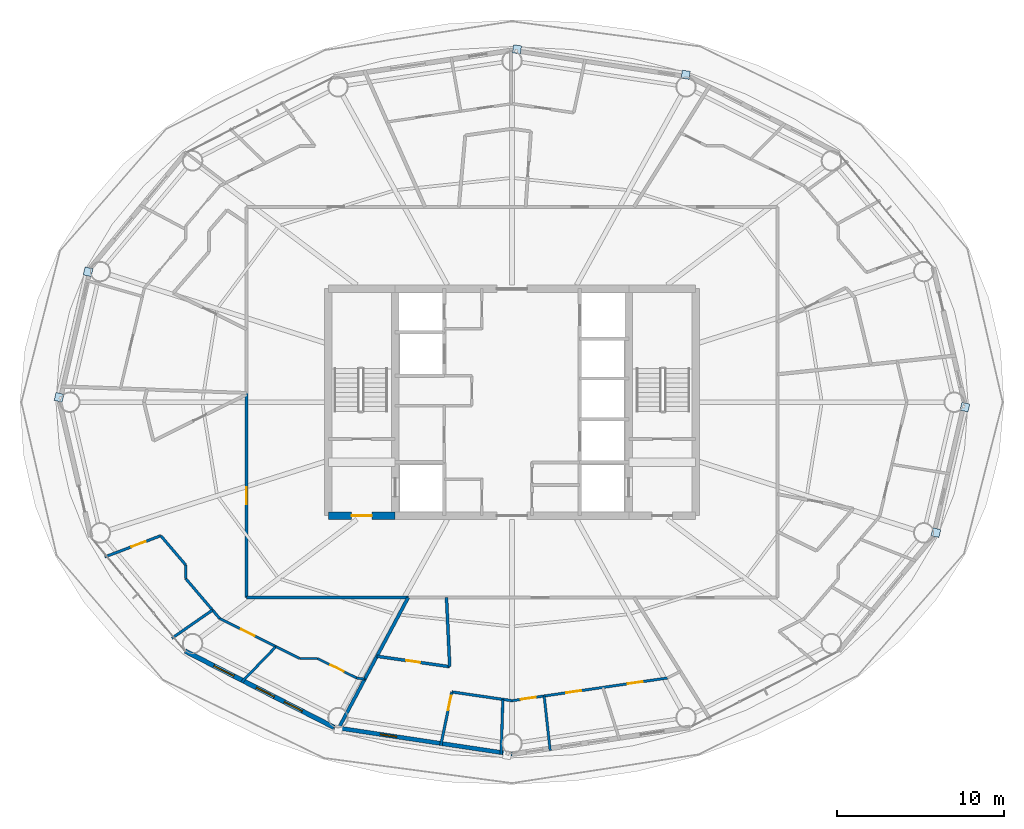
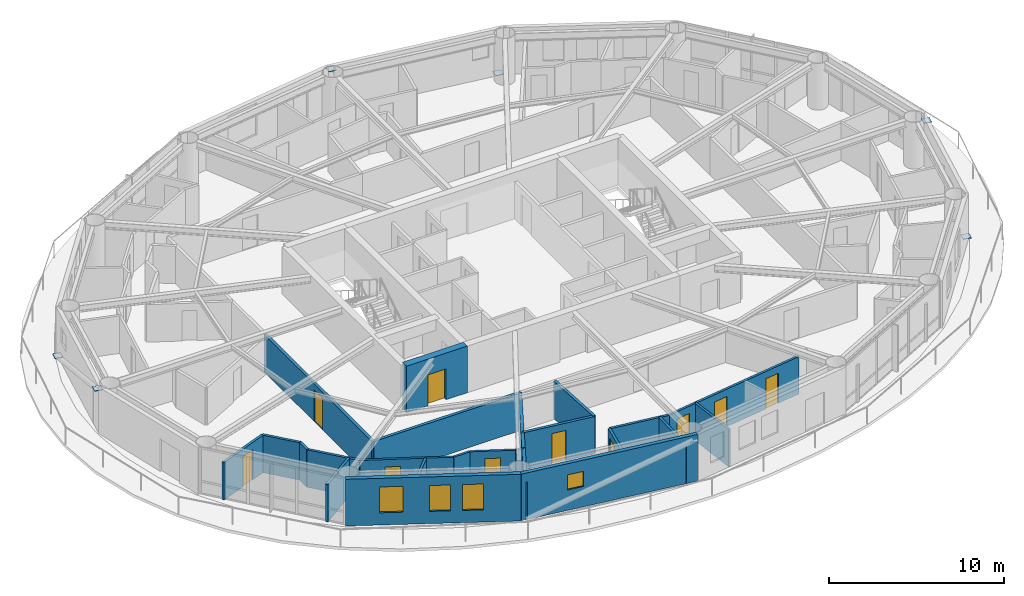
# One storey, part 20 of 28: 25 walls, 10 doors, 6 plates, 4 windows, 14 openings.
"""IFC4 building model written with IfcOpenShell, lengths in metres."""

from ifc_helpers import new_model, si_unit, direction, frame, frame_2d, origin, origin_2d, place, context, subcontext, project, spatial, rectangle, extrude, material, layer, layer_set, type_object, element, fill, save


model = new_model("IFC4")

# Units and contexts
model_context = context("Model", 3, precision=1e-05, world=origin(), true_north=direction((0.0, 1.0)))
body_context = subcontext(model_context, "Body", "Model", "MODEL_VIEW")
ifc_project = project(units=[si_unit("LENGTHUNIT", "METRE"), si_unit("AREAUNIT", "SQUARE_METRE"), si_unit("VOLUMEUNIT", "CUBIC_METRE"), si_unit("PLANEANGLEUNIT", "RADIAN"), si_unit("MASSUNIT", "GRAM", prefix="KILO")], contexts=[model_context])

# Site, building, storey
site_placement = place(None, origin())
site = spatial("IfcSite", under=ifc_project, at=site_placement, CompositionType="ELEMENT")
building_placement = place(site_placement, origin())
building = spatial("IfcBuilding", under=site, at=building_placement, Name="Sarneth Arch Tower", CompositionType="ELEMENT")
storey_placement = place(building_placement, frame((0.0, 0.0, 197.39990234375)))
storey = spatial("IfcBuildingStorey", under=building, at=storey_placement, Name="L50", CompositionType="ELEMENT", Elevation=197.39990234375)

# Plates
ifc_material_1 = material(Name="Steel S355", Category="steel")
ifc_layer_1 = layer(ifc_material_1, 0.035888671875)
ifc_layer_set_1 = layer_set([ifc_layer_1], Name="Steel S355")
plate_type = type_object("IfcPlateType", Name="PLT-GUSSET-30", PredefinedType="SHEET", material=ifc_layer_set_1)
for number, where, z_axis, x_axis, name in (
    (1, (58.404296875, 61.612548828125, 0.001953125), (0.0, 0.0, 1.0), (-0.98883454203, 0.149017611339, 0.0), "Steel end cap plate GP-1"),
    (2, (48.296630859375, 63.13525390625, 2.90283203125), (0.0, 0.0, 1.0), (-0.98883454203, 0.149017611339, 0.0), "Steel end cap plate GP-1"),
    (3, (22.609619140625, 49.81298828125, 0.001953125), (0.0, 0.0, 1.0), (-0.225291159947, -0.974291482694, 0.0), "Steel end cap plate GP-1"),
    (4, (20.87109375, 42.292236328125, 2.90283203125), (0.0, 0.0, 1.0), (-0.225291159947, -0.974291482694, 0.0), "Steel end cap plate GP-1"),
    (5, (73.390380859375, 34.18701171875, 0.001953125), (0.0, 0.0, 1.0), (0.225291159947, 0.974291482694, 0.0), "Steel end cap plate GP-1"),
    (6, (75.12890625, 41.707763671875, 2.90283203125), (0.0, 0.0, 1.0), (0.225291159947, 0.974291482694, 0.0), "Steel end cap plate GP-1"),
):
    element("IfcPlate", number, at=place(storey_placement, frame(where, z_axis=z_axis, x_axis=x_axis)), inside=storey, type_object=plate_type, Name=name, PredefinedType="SHEET", context=body_context, shape_type="SweptSolid", body=[
        extrude(rectangle(XDim=0.486083984375, YDim=0.486083984375, at=origin_2d()), origin(), (0.0, 0.0, 1.0), 0.035888671875),
    ])

# Wall, opening, door
ifc_material_2 = material(Name="Concrete C50/60", Category="concrete")
ifc_layer_2 = layer(ifc_material_2, 0.449951171875)
ifc_layer_set_2 = layer_set([ifc_layer_2], Name="Concrete C50/60")
wall_type_1 = type_object("IfcWallType", Name="WALL-CORE-450", PredefinedType="SHEAR", material=ifc_layer_set_2)
wall_1_placement = place(storey_placement, frame((37.0, 35.199951171875, 0.0), z_axis=(0.0, 0.0, 1.0), x_axis=(1.0, 0.0, 0.0)))
wall_1 = element("IfcWall", 7, at=wall_1_placement, inside=storey, type_object=wall_type_1, Name="L50 Core shear wall S-W", PredefinedType="SHEAR", context=body_context, shape_type="SweptSolid", body=[
    extrude(rectangle(XDim=4.0, YDim=0.449951171875, at=frame_2d((2.0, 0.0))), origin(), (0.0, 0.0, 1.0), 3.25),
])
opening_1_placement = place(wall_1_placement, frame((1.39990234375, 0.0, 0.0)))
opening_1 = element("IfcOpeningElement", 8, at=opening_1_placement, cuts=wall_1, Name="Opening FD-02", PredefinedType="OPENING", context=body_context, shape_type="SweptSolid", body=[
    extrude(rectangle(XDim=1.199951171875, YDim=2.14990234375, at=frame_2d((0.60009765625, 1.074951171875))), frame((0.0, 0.23486328125, 0.0), z_axis=(0.0, -1.0, 0.0), x_axis=(1.0, 0.0, 0.0)), (0.0, 0.0, 1.0), 0.469970703125),
])
ifc_material_3 = material(Name="Galvanised Steel S275 fire door set", Category="steel")
door_type_1 = type_object("IfcDoorType", Name="DR-FD90-1200", OperationType="SINGLE_SWING_LEFT", PredefinedType="DOOR", material=ifc_material_3)
door_1_placement = place(opening_1_placement, origin())
door_1 = element("IfcDoor", 9, at=door_1_placement, inside=storey, type_object=door_type_1, Name="L50 Firefighting lobby 1 exit door", OperationType="SINGLE_SWING_LEFT", OverallHeight=2.14990234375, OverallWidth=1.199951171875, PredefinedType="DOOR", context=body_context, shape_type="SweptSolid", body=[
    extrude(rectangle(XDim=1.199951171875, YDim=2.14990234375, at=frame_2d((0.60009765625, 1.074951171875))), frame((0.0, 0.02490234375, 0.0), z_axis=(0.0, -1.0, 0.0), x_axis=(1.0, 0.0, 0.0)), (0.0, 0.0, 1.0), 0.050048828125),
])
fill(opening_1, door_1)

ifc_material_4 = material(Name="Double steel-stud corridor fire wall", Category="steel")
ifc_layer_3 = layer(ifc_material_4, 0.18994140625)
ifc_layer_set_3 = layer_set([ifc_layer_3], Name="Double steel-stud corridor fire wall")
wall_type_2 = type_object("IfcWallType", Name="WALL-CORR-190", PredefinedType="PARTITIONING", material=ifc_layer_set_3)
wall_2_placement = place(storey_placement, frame((32.10009765625, 30.300048828125, 0.0), z_axis=(0.0, 0.0, 1.0), x_axis=(0.0, 1.0, 0.0)))
wall_2 = element("IfcWall", 10, at=wall_2_placement, inside=storey, type_object=wall_type_2, Name="L50 Interior partition W-L50-TP-012", PredefinedType="PARTITIONING", context=body_context, shape_type="SweptSolid", body=[
    extrude(rectangle(XDim=12.287109375, YDim=0.18994140625, at=frame_2d((6.1435546875, 0.0))), origin(), (0.0, 0.0, 1.0), 2.610107421875),
])
opening_2_placement = place(wall_2_placement, frame((5.6005859375, 0.0, 0.0)))
opening_2 = element("IfcOpeningElement", 11, at=opening_2_placement, cuts=wall_2, Name="Opening FD-08", PredefinedType="OPENING", context=body_context, shape_type="SweptSolid", body=[
    extrude(rectangle(XDim=1.0, YDim=2.199951171875, at=frame_2d((0.5, 1.10009765625))), frame((0.0, 0.10498046875, 0.0), z_axis=(0.0, -1.0, 0.0), x_axis=(1.0, 0.0, 0.0)), (0.0, 0.0, 1.0), 0.2099609375),
])
ifc_material_5 = material(Name="Hardwood timber acoustic fire door", Category="wood")
door_type_2 = type_object("IfcDoorType", Name="DR-FD60-1000", OperationType="SINGLE_SWING_LEFT", PredefinedType="DOOR", material=ifc_material_5)
door_2_placement = place(opening_2_placement, origin())
door_2 = element("IfcDoor", 12, at=door_2_placement, inside=storey, type_object=door_type_2, Name="L50 Interior door DR-L50-U4-ENT", OperationType="SINGLE_SWING_LEFT", OverallHeight=2.199951171875, OverallWidth=1.0, PredefinedType="DOOR", context=body_context, shape_type="SweptSolid", body=[
    extrude(rectangle(XDim=1.0, YDim=2.199951171875, at=frame_2d((0.5, 1.10009765625))), frame((0.0, 0.02490234375, 0.0), z_axis=(0.0, -1.0, 0.0), x_axis=(1.0, 0.0, 0.0)), (0.0, 0.0, 1.0), 0.050048828125),
])
fill(opening_2, door_2)

# Wall
wall_3_placement = place(storey_placement, frame((41.815185546875, 30.300048828125, 0.0), z_axis=(0.0, 0.0, 1.0), x_axis=(-1.0, 0.0, 0.0)))
element("IfcWall", 13, at=wall_3_placement, inside=storey, type_object=wall_type_2, Name="L50 Interior partition W-L50-TP-011", PredefinedType="PARTITIONING", context=body_context, shape_type="SweptSolid", body=[
    extrude(rectangle(XDim=9.715087890625, YDim=0.18994140625, at=frame_2d((4.857421875, 0.0))), origin(), (0.0, 0.0, 1.0), 2.610107421875),
])

# Wall, opening, window
ifc_material_6 = material(Name="Extruded terracotta rainscreen on Concrete C40/50 backing", Category="masonry")
ifc_layer_4 = layer(ifc_material_6, 0.25)
ifc_layer_set_4 = layer_set([ifc_layer_4], Name="Extruded terracotta rainscreen on Concrete C40/50 backing")
wall_type_3 = type_object("IfcWallType", Name="WALL-EXT-SPAND-250", PredefinedType="SOLIDWALL", material=ifc_layer_set_4)
wall_4_placement = place(storey_placement, frame((37.337158203125, 22.524658203125, 0.0), z_axis=(0.0, 0.0, 1.0), x_axis=(0.988863993413, -0.148822049884, 0.0)))
wall_4 = element("IfcWall", 14, at=wall_4_placement, inside=storey, type_object=wall_type_3, Name="L50 Terracotta perimeter wall 12", PredefinedType="SOLIDWALL", context=body_context, shape_type="SweptSolid", body=[
    extrude(rectangle(XDim=10.782958984375, YDim=0.25, at=frame_2d((5.3916015625, 0.0))), origin(), (0.0, 0.0, 1.0), 3.25),
])
opening_3_placement = place(wall_4_placement, frame((2.795654296875, 0.0, 1.419921875)))
opening_3 = element("IfcOpeningElement", 15, at=opening_3_placement, cuts=wall_4, Name="Opening W-14", PredefinedType="OPENING", context=body_context, shape_type="SweptSolid", body=[
    extrude(rectangle(XDim=1.0, YDim=1.050048828125, at=frame_2d((0.5, 0.52490234375))), frame((0.0, 0.135009765625, 0.0), z_axis=(0.0, -1.0, 0.0), x_axis=(1.0, 0.0, 0.0)), (0.0, 0.0, 1.0), 0.27001953125),
])
ifc_material_7 = material(Name="Thermally broken Aluminium 6063-T6 and low-e laminated IGU", Category="aluminium")
window_type_1 = type_object("IfcWindowType", Name="WIN-TWR-1000x1050", PartitioningType="SINGLE_PANEL", PredefinedType="WINDOW", material=ifc_material_7)
window_1_placement = place(opening_3_placement, origin())
window_1 = element("IfcWindow", 16, at=window_1_placement, inside=storey, type_object=window_type_1, Name="L50 Dwelling bedroom window 03", OverallHeight=1.050048828125, OverallWidth=1.0, PartitioningType="SINGLE_PANEL", PredefinedType="WINDOW", context=body_context, shape_type="SweptSolid", body=[
    extrude(rectangle(XDim=1.0, YDim=1.050048828125, at=frame_2d((0.5, 0.52490234375))), frame((0.0, 0.030029296875, 0.0), z_axis=(0.0, -1.0, 0.0), x_axis=(1.0, 0.0, 0.0)), (0.0, 0.0, 1.0), 0.06005859375),
])
fill(opening_3, window_1)

# Wall, openings, windows
ifc_material_8 = material(Name="Extruded terracotta rainscreen on Concrete C40/50 backing", Category="masonry")
ifc_layer_5 = layer(ifc_material_8, 0.280029296875)
ifc_layer_set_5 = layer_set([ifc_layer_5], Name="Extruded terracotta rainscreen on Concrete C40/50 backing")
wall_type_4 = type_object("IfcWallType", Name="WALL-EXT-TERRA-280", PredefinedType="SOLIDWALL", material=ifc_layer_set_5)
wall_5_placement = place(storey_placement, frame((28.423828125, 27.09423828125, 0.0), z_axis=(0.0, 0.0, 1.0), x_axis=(0.889872523182, -0.456209263919, 0.0)))
wall_5 = element("IfcWall", 17, at=wall_5_placement, inside=storey, type_object=wall_type_4, Name="L50 Terracotta perimeter wall 11", PredefinedType="SOLIDWALL", context=body_context, shape_type="SweptSolid", body=[
    extrude(rectangle(XDim=10.016357421875, YDim=0.280029296875, at=frame_2d((5.00830078125, 0.0))), origin(), (0.0, 0.0, 1.0), 3.25),
])
opening_4_placement = place(wall_5_placement, frame((1.92529296875, 0.0, 0.85009765625)))
opening_4 = element("IfcOpeningElement", 18, at=opening_4_placement, cuts=wall_5, Name="Opening W-08", PredefinedType="OPENING", context=body_context, shape_type="SweptSolid", body=[
    extrude(rectangle(XDim=1.35009765625, YDim=1.800048828125, at=frame_2d((0.675048828125, 0.89990234375))), frame((0.0, 0.14990234375, 0.0), z_axis=(0.0, -1.0, 0.0), x_axis=(1.0, 0.0, 0.0)), (0.0, 0.0, 1.0), 0.300048828125),
])
opening_5_placement = place(wall_5_placement, frame((4.795166015625, 0.0, 0.85009765625)))
opening_5 = element("IfcOpeningElement", 19, at=opening_5_placement, cuts=wall_5, Name="Opening W-09", PredefinedType="OPENING", context=body_context, shape_type="SweptSolid", body=[
    extrude(rectangle(XDim=1.199951171875, YDim=1.800048828125, at=frame_2d((0.60009765625, 0.89990234375))), frame((0.0, 0.14990234375, 0.0), z_axis=(0.0, -1.0, 0.0), x_axis=(1.0, 0.0, 0.0)), (0.0, 0.0, 1.0), 0.300048828125),
])
opening_6_placement = place(wall_5_placement, frame((6.68017578125, 0.0, 0.85009765625)))
opening_6 = element("IfcOpeningElement", 20, at=opening_6_placement, cuts=wall_5, Name="Opening W-09", PredefinedType="OPENING", context=body_context, shape_type="SweptSolid", body=[
    extrude(rectangle(XDim=1.199951171875, YDim=1.800048828125, at=frame_2d((0.60009765625, 0.89990234375))), frame((0.0, 0.14990234375, 0.0), z_axis=(0.0, -1.0, 0.0), x_axis=(1.0, 0.0, 0.0)), (0.0, 0.0, 1.0), 0.300048828125),
])
ifc_material_9 = material(Name="Thermally broken Aluminium 6063-T6 and low-e laminated IGU", Category="aluminium")
window_type_2 = type_object("IfcWindowType", Name="WIN-TWR-1200x1800", PartitioningType="SINGLE_PANEL", PredefinedType="WINDOW", material=ifc_material_9)
window_2_placement = place(opening_5_placement, origin())
window_2 = element("IfcWindow", 21, at=window_2_placement, inside=storey, type_object=window_type_2, Name="L50 Exterior window 11B", OverallHeight=1.800048828125, OverallWidth=1.199951171875, PartitioningType="SINGLE_PANEL", PredefinedType="WINDOW", context=body_context, shape_type="SweptSolid", body=[
    extrude(rectangle(XDim=1.199951171875, YDim=1.800048828125, at=frame_2d((0.60009765625, 0.89990234375))), frame((0.0, 0.030029296875, 0.0), z_axis=(0.0, -1.0, 0.0), x_axis=(1.0, 0.0, 0.0)), (0.0, 0.0, 1.0), 0.06005859375),
])
fill(opening_5, window_2)
window_3_placement = place(opening_6_placement, origin())
window_3 = element("IfcWindow", 22, at=window_3_placement, inside=storey, type_object=window_type_2, Name="L50 Exterior window 11C", OverallHeight=1.800048828125, OverallWidth=1.199951171875, PartitioningType="SINGLE_PANEL", PredefinedType="WINDOW", context=body_context, shape_type="SweptSolid", body=[
    extrude(rectangle(XDim=1.199951171875, YDim=1.800048828125, at=frame_2d((0.60009765625, 0.89990234375))), frame((0.0, 0.030029296875, 0.0), z_axis=(0.0, -1.0, 0.0), x_axis=(1.0, 0.0, 0.0)), (0.0, 0.0, 1.0), 0.06005859375),
])
fill(opening_6, window_3)
ifc_material_10 = material(Name="Thermally broken Aluminium 6063-T6 and low-e laminated IGU", Category="aluminium")
window_type_3 = type_object("IfcWindowType", Name="WIN-TWR-1350x1800", PartitioningType="SINGLE_PANEL", PredefinedType="WINDOW", material=ifc_material_10)
window_4_placement = place(opening_4_placement, origin())
window_4 = element("IfcWindow", 23, at=window_4_placement, inside=storey, type_object=window_type_3, Name="L50 Exterior window 11A", OverallHeight=1.800048828125, OverallWidth=1.35009765625, PartitioningType="SINGLE_PANEL", PredefinedType="WINDOW", context=body_context, shape_type="SweptSolid", body=[
    extrude(rectangle(XDim=1.35009765625, YDim=1.800048828125, at=frame_2d((0.675048828125, 0.89990234375))), frame((0.0, 0.030029296875, 0.0), z_axis=(0.0, -1.0, 0.0), x_axis=(1.0, 0.0, 0.0)), (0.0, 0.0, 1.0), 0.06005859375),
])
fill(opening_4, window_4)

# Wall, opening, door
ifc_material_11 = material(Name="Apartment internal stud partition", Category="gypsum")
ifc_layer_6 = layer(ifc_material_11, 0.139892578125)
ifc_layer_set_6 = layer_set([ifc_layer_6], Name="Apartment internal stud partition")
wall_type_5 = type_object("IfcWallType", Name="WALL-PART-140", PredefinedType="PARTITIONING", material=ifc_layer_set_6)
wall_6_placement = place(storey_placement, frame((36.348876953125, 26.64990234375, 0.0), z_axis=(0.0, 0.0, 1.0), x_axis=(0.895041110332, -0.445983644112, 0.0)))
wall_6 = element("IfcWall", 24, at=wall_6_placement, inside=storey, type_object=wall_type_5, Name="L50 Interior partition W-L50-TP-087", PredefinedType="PARTITIONING", context=body_context, shape_type="SweptSolid", body=[
    extrude(rectangle(XDim=2.62109375, YDim=0.139892578125, at=frame_2d((1.310546875, 0.0))), origin(), (0.0, 0.0, 1.0), 2.610107421875),
])
opening_7_placement = place(wall_6_placement, frame((0.860595703125, 0.0, 0.0)))
opening_7 = element("IfcOpeningElement", 25, at=opening_7_placement, cuts=wall_6, Name="Opening ID-01", PredefinedType="OPENING", context=body_context, shape_type="SweptSolid", body=[
    extrude(rectangle(XDim=0.89990234375, YDim=2.10009765625, at=frame_2d((0.449951171875, 1.050048828125))), frame((0.0, 0.079833984375, 0.0), z_axis=(0.0, -1.0, 0.0), x_axis=(1.0, 0.0, 0.0)), (0.0, 0.0, 1.0), 0.159912109375),
])
ifc_material_12 = material(Name="Engineered hardwood flush door", Category="wood")
door_type_3 = type_object("IfcDoorType", Name="DR-INT-900", OperationType="SINGLE_SWING_LEFT", PredefinedType="DOOR", material=ifc_material_12)
door_3_placement = place(opening_7_placement, origin())
door_3 = element("IfcDoor", 26, at=door_3_placement, inside=storey, type_object=door_type_3, Name="L50 Interior door DR-L50-U4-BED2", OperationType="SINGLE_SWING_LEFT", OverallHeight=2.10009765625, OverallWidth=0.89990234375, PredefinedType="DOOR", context=body_context, shape_type="SweptSolid", body=[
    extrude(rectangle(XDim=0.89990234375, YDim=2.10009765625, at=frame_2d((0.449951171875, 1.050048828125))), frame((0.0, 0.02490234375, 0.0), z_axis=(0.0, -1.0, 0.0), x_axis=(1.0, 0.0, 0.0)), (0.0, 0.0, 1.0), 0.050048828125),
])
fill(opening_7, door_3)

# Walls
wall_7_placement = place(storey_placement, frame((33.8623046875, 27.360107421875, 0.0), z_axis=(0.0, 0.0, 1.0), x_axis=(0.894917522296, -0.446231585937, 0.0)))
element("IfcWall", 27, at=wall_7_placement, inside=storey, type_object=wall_type_5, Name="L50 Interior partition W-L50-TP-085", PredefinedType="PARTITIONING", context=body_context, shape_type="SweptSolid", body=[
    extrude(rectangle(XDim=1.591552734375, YDim=0.139892578125, at=frame_2d((0.7958984375, 0.0))), origin(), (0.0, 0.0, 1.0), 2.610107421875),
])
wall_8_placement = place(storey_placement, frame((35.28662109375, 26.64990234375, 0.0), z_axis=(0.0, 0.0, 1.0), x_axis=(1.0, 0.0, 0.0)))
element("IfcWall", 28, at=wall_8_placement, inside=storey, type_object=wall_type_5, Name="L50 Interior partition W-L50-TP-086", PredefinedType="PARTITIONING", context=body_context, shape_type="SweptSolid", body=[
    extrude(rectangle(XDim=1.062255859375, YDim=0.139892578125, at=frame_2d((0.53125, 0.0))), origin(), (0.0, 0.0, 1.0), 2.610107421875),
])
wall_9_placement = place(storey_placement, frame((38.69482421875, 25.48095703125, 0.0), z_axis=(0.0, 0.0, 1.0), x_axis=(0.989485449351, -0.144632449754, 0.0)))
element("IfcWall", 29, at=wall_9_placement, inside=storey, type_object=wall_type_5, Name="L50 Interior partition W-L50-TP-088", PredefinedType="PARTITIONING", context=body_context, shape_type="SweptSolid", body=[
    extrude(rectangle(XDim=0.489501953125, YDim=0.139892578125, at=frame_2d((0.24462890625, 0.0))), origin(), (0.0, 0.0, 1.0), 2.610107421875),
])

# Wall, openings, doors
ifc_material_13 = material(Name="Acoustic gypsum stud partition", Category="gypsum")
ifc_layer_7 = layer(ifc_material_13, 0.14990234375)
ifc_layer_set_7 = layer_set([ifc_layer_7], Name="Acoustic gypsum stud partition")
wall_type_6 = type_object("IfcWallType", Name="WALL-PART-150", PredefinedType="PARTITIONING", material=ifc_layer_set_7)
wall_10_placement = place(storey_placement, frame((48.0, 24.1201171875, 0.0), z_axis=(0.0, 0.0, 1.0), x_axis=(0.989474667704, 0.144706191892, 0.0)))
wall_10 = element("IfcWall", 30, at=wall_10_placement, inside=storey, type_object=wall_type_6, Name="L50 Interior partition W-L50-TP-101", PredefinedType="PARTITIONING", context=body_context, shape_type="SweptSolid", body=[
    extrude(rectangle(XDim=9.404052734375, YDim=0.14990234375, at=frame_2d((4.7021484375, 0.0))), origin(), (0.0, 0.0, 1.0), 2.610107421875),
])
opening_8_placement = place(wall_10_placement, frame((7.001953125, 0.0, 0.0)))
opening_8 = element("IfcOpeningElement", 31, at=opening_8_placement, cuts=wall_10, Name="Opening ID-01", PredefinedType="OPENING", context=body_context, shape_type="SweptSolid", body=[
    extrude(rectangle(XDim=0.89990234375, YDim=2.10009765625, at=frame_2d((0.449951171875, 1.050048828125))), frame((0.0, 0.0849609375, 0.0), z_axis=(0.0, -1.0, 0.0), x_axis=(1.0, 0.0, 0.0)), (0.0, 0.0, 1.0), 0.169921875),
])
opening_9_placement = place(wall_10_placement, frame((3.274169921875, 0.0, 0.0)))
opening_9 = element("IfcOpeningElement", 32, at=opening_9_placement, cuts=wall_10, Name="Opening ID-01", PredefinedType="OPENING", context=body_context, shape_type="SweptSolid", body=[
    extrude(rectangle(XDim=0.89990234375, YDim=2.10009765625, at=frame_2d((0.449951171875, 1.050048828125))), frame((0.0, 0.0849609375, 0.0), z_axis=(0.0, -1.0, 0.0), x_axis=(1.0, 0.0, 0.0)), (0.0, 0.0, 1.0), 0.169921875),
])
opening_10_placement = place(wall_10_placement, frame((0.5400390625, 0.0, 0.0)))
opening_10 = element("IfcOpeningElement", 33, at=opening_10_placement, cuts=wall_10, Name="Opening ID-01", PredefinedType="OPENING", context=body_context, shape_type="SweptSolid", body=[
    extrude(rectangle(XDim=0.89990234375, YDim=2.10009765625, at=frame_2d((0.449951171875, 1.050048828125))), frame((0.0, 0.0849609375, 0.0), z_axis=(0.0, -1.0, 0.0), x_axis=(1.0, 0.0, 0.0)), (0.0, 0.0, 1.0), 0.169921875),
])
door_4_placement = place(opening_8_placement, origin())
door_4 = element("IfcDoor", 34, at=door_4_placement, inside=storey, type_object=door_type_3, Name="L50 Interior door DR-L50-U5-BED3", OperationType="SINGLE_SWING_LEFT", OverallHeight=2.10009765625, OverallWidth=0.89990234375, PredefinedType="DOOR", context=body_context, shape_type="SweptSolid", body=[
    extrude(rectangle(XDim=0.89990234375, YDim=2.10009765625, at=frame_2d((0.449951171875, 1.050048828125))), frame((0.0, 0.02490234375, 0.0), z_axis=(0.0, -1.0, 0.0), x_axis=(1.0, 0.0, 0.0)), (0.0, 0.0, 1.0), 0.050048828125),
])
fill(opening_8, door_4)
door_5_placement = place(opening_9_placement, origin())
door_5 = element("IfcDoor", 35, at=door_5_placement, inside=storey, type_object=door_type_3, Name="L50 Interior door DR-L50-U5-BED2", OperationType="SINGLE_SWING_RIGHT", OverallHeight=2.10009765625, OverallWidth=0.89990234375, PredefinedType="DOOR", context=body_context, shape_type="SweptSolid", body=[
    extrude(rectangle(XDim=0.89990234375, YDim=2.10009765625, at=frame_2d((0.449951171875, 1.050048828125))), frame((0.0, 0.02490234375, 0.0), z_axis=(0.0, -1.0, 0.0), x_axis=(1.0, 0.0, 0.0)), (0.0, 0.0, 1.0), 0.050048828125),
])
fill(opening_9, door_5)
door_6_placement = place(opening_10_placement, origin())
door_6 = element("IfcDoor", 36, at=door_6_placement, inside=storey, type_object=door_type_3, Name="L50 Interior door DR-L50-U5-BED1", OperationType="SINGLE_SWING_RIGHT", OverallHeight=2.10009765625, OverallWidth=0.89990234375, PredefinedType="DOOR", context=body_context, shape_type="SweptSolid", body=[
    extrude(rectangle(XDim=0.89990234375, YDim=2.10009765625, at=frame_2d((0.449951171875, 1.050048828125))), frame((0.0, 0.02490234375, 0.0), z_axis=(0.0, -1.0, 0.0), x_axis=(1.0, 0.0, 0.0)), (0.0, 0.0, 1.0), 0.050048828125),
])
fill(opening_10, door_6)

# Wall, opening, door
wall_11_placement = place(storey_placement, frame((30.4951171875, 29.038818359375, 0.0), z_axis=(0.0, 0.0, 1.0), x_axis=(0.894945698469, -0.44617507415, 0.0)))
wall_11 = element("IfcWall", 37, at=wall_11_placement, inside=storey, type_object=wall_type_6, Name="L50 Interior partition W-L50-TP-084", PredefinedType="PARTITIONING", context=body_context, shape_type="SweptSolid", body=[
    extrude(rectangle(XDim=3.762451171875, YDim=0.14990234375, at=frame_2d((1.88134765625, 0.0))), origin(), (0.0, 0.0, 1.0), 2.610107421875),
])
opening_11_placement = place(wall_11_placement, frame((1.43115234375, 0.0, 0.0)))
opening_11 = element("IfcOpeningElement", 38, at=opening_11_placement, cuts=wall_11, Name="Opening ID-01", PredefinedType="OPENING", context=body_context, shape_type="SweptSolid", body=[
    extrude(rectangle(XDim=0.89990234375, YDim=2.10009765625, at=frame_2d((0.449951171875, 1.050048828125))), frame((0.0, 0.0849609375, 0.0), z_axis=(0.0, -1.0, 0.0), x_axis=(1.0, 0.0, 0.0)), (0.0, 0.0, 1.0), 0.169921875),
])
door_7_placement = place(opening_11_placement, origin())
door_7 = element("IfcDoor", 39, at=door_7_placement, inside=storey, type_object=door_type_3, Name="L50 Interior door DR-L50-U4-BED1", OperationType="SINGLE_SWING_LEFT", OverallHeight=2.10009765625, OverallWidth=0.89990234375, PredefinedType="DOOR", context=body_context, shape_type="SweptSolid", body=[
    extrude(rectangle(XDim=0.89990234375, YDim=2.10009765625, at=frame_2d((0.449951171875, 1.050048828125))), frame((0.0, 0.02490234375, 0.0), z_axis=(0.0, -1.0, 0.0), x_axis=(1.0, 0.0, 0.0)), (0.0, 0.0, 1.0), 0.050048828125),
])
fill(opening_11, door_7)

# Walls
wall_12_placement = place(storey_placement, frame((50.28466796875, 21.142578125, 0.0), z_axis=(0.0, 0.0, 1.0), x_axis=(-0.108935832995, 0.994048783657, 0.0)))
element("IfcWall", 40, at=wall_12_placement, inside=storey, type_object=wall_type_6, Name="L50 Interior partition W-L50-TP-105", PredefinedType="PARTITIONING", context=body_context, shape_type="SweptSolid", body=[
    extrude(rectangle(XDim=3.27880859375, YDim=0.14990234375, at=frame_2d((1.639404296875, 0.0))), origin(), (0.0, 0.0, 1.0), 2.610107421875),
])
wall_13_placement = place(storey_placement, frame((33.8623046875, 27.360107421875, 0.0), z_axis=(0.0, 0.0, 1.0), x_axis=(-0.694625426755, -0.719371612246, 0.0)))
element("IfcWall", 41, at=wall_13_placement, inside=storey, type_object=wall_type_6, Name="L50 Interior partition W-L50-TP-092", PredefinedType="PARTITIONING", context=body_context, shape_type="SweptSolid", body=[
    extrude(rectangle(XDim=2.959716796875, YDim=0.14990234375, at=frame_2d((1.47998046875, 0.0))), origin(), (0.0, 0.0, 1.0), 2.610107421875),
])

# Wall, opening, door
ifc_material_14 = material(Name="Kitchen wet service chase wall", Category="gypsum")
ifc_layer_8 = layer(ifc_material_14, 0.159912109375)
ifc_layer_set_8 = layer_set([ifc_layer_8], Name="Kitchen wet service chase wall")
wall_type_7 = type_object("IfcWallType", Name="WALL-PLUMB-160", PredefinedType="PLUMBINGWALL", material=ifc_layer_set_8)
wall_14_placement = place(storey_placement, frame((26.961669921875, 34.004638671875, 0.0), z_axis=(0.0, 0.0, 1.0), x_axis=(-0.934799422257, -0.355176069222, 0.0)))
wall_14 = element("IfcWall", 42, at=wall_14_placement, inside=storey, type_object=wall_type_7, Name="L50 Interior partition W-L50-TP-079", PredefinedType="PLUMBINGWALL", context=body_context, shape_type="SweptSolid", body=[
    extrude(rectangle(XDim=3.58203125, YDim=0.159912109375, at=frame_2d((1.791015625, 0.0))), origin(), (0.0, 0.0, 1.0), 2.610107421875),
])
opening_12_placement = place(wall_14_placement, frame((0.98095703125, 0.0, 0.0)))
opening_12 = element("IfcOpeningElement", 43, at=opening_12_placement, cuts=wall_14, Name="Opening ID-01", PredefinedType="OPENING", context=body_context, shape_type="SweptSolid", body=[
    extrude(rectangle(XDim=0.89990234375, YDim=2.10009765625, at=frame_2d((0.449951171875, 1.050048828125))), frame((0.0, 0.08984375, 0.0), z_axis=(0.0, -1.0, 0.0), x_axis=(1.0, 0.0, 0.0)), (0.0, 0.0, 1.0), 0.179931640625),
])
door_8_placement = place(opening_12_placement, origin())
door_8 = element("IfcDoor", 44, at=door_8_placement, inside=storey, type_object=door_type_3, Name="L50 Interior door DR-L50-U4-KIT", OperationType="SINGLE_SWING_RIGHT", OverallHeight=2.10009765625, OverallWidth=0.89990234375, PredefinedType="DOOR", context=body_context, shape_type="SweptSolid", body=[
    extrude(rectangle(XDim=0.89990234375, YDim=2.10009765625, at=frame_2d((0.449951171875, 1.050048828125))), frame((0.0, 0.02490234375, 0.0), z_axis=(0.0, -1.0, 0.0), x_axis=(1.0, 0.0, 0.0)), (0.0, 0.0, 1.0), 0.050048828125),
])
fill(opening_12, door_8)

# Wall
wall_15_placement = place(storey_placement, frame((47.451416015625, 24.2001953125, 0.0), z_axis=(0.0, 0.0, 1.0), x_axis=(-0.03081032148, -0.999525249351, 0.0)))
element("IfcWall", 45, at=wall_15_placement, inside=storey, type_object=wall_type_7, Name="L50 Interior partition W-L50-TP-104", PredefinedType="PLUMBINGWALL", context=body_context, shape_type="SweptSolid", body=[
    extrude(rectangle(XDim=3.30419921875, YDim=0.159912109375, at=frame_2d((1.652099609375, 0.0))), origin(), (0.0, 0.0, 1.0), 2.610107421875),
])

# Wall, opening, door
wall_16_placement = place(storey_placement, frame((43.733154296875, 21.44091796875, 0.0), z_axis=(0.0, 0.0, 1.0), x_axis=(0.203194875639, 0.979138316334, 0.0)))
wall_16 = element("IfcWall", 46, at=wall_16_placement, inside=storey, type_object=wall_type_7, Name="L50 Interior partition W-L50-TP-094", PredefinedType="PLUMBINGWALL", context=body_context, shape_type="SweptSolid", body=[
    extrude(rectangle(XDim=3.274169921875, YDim=0.159912109375, at=frame_2d((1.63720703125, 0.0))), origin(), (0.0, 0.0, 1.0), 2.610107421875),
])
opening_13_placement = place(wall_16_placement, frame((2.147216796875, 0.0, 0.0)))
opening_13 = element("IfcOpeningElement", 47, at=opening_13_placement, cuts=wall_16, Name="Opening ID-01", PredefinedType="OPENING", context=body_context, shape_type="SweptSolid", body=[
    extrude(rectangle(XDim=0.89990234375, YDim=2.10009765625, at=frame_2d((0.449951171875, 1.050048828125))), frame((0.0, 0.08984375, 0.0), z_axis=(0.0, -1.0, 0.0), x_axis=(1.0, 0.0, 0.0)), (0.0, 0.0, 1.0), 0.179931640625),
])
door_9_placement = place(opening_13_placement, origin())
door_9 = element("IfcDoor", 48, at=door_9_placement, inside=storey, type_object=door_type_3, Name="L50 Interior door DR-L50-U5-KIT", OperationType="SINGLE_SWING_RIGHT", OverallHeight=2.10009765625, OverallWidth=0.89990234375, PredefinedType="DOOR", context=body_context, shape_type="SweptSolid", body=[
    extrude(rectangle(XDim=0.89990234375, YDim=2.10009765625, at=frame_2d((0.449951171875, 1.050048828125))), frame((0.0, 0.02490234375, 0.0), z_axis=(0.0, -1.0, 0.0), x_axis=(1.0, 0.0, 0.0)), (0.0, 0.0, 1.0), 0.050048828125),
])
fill(opening_13, door_9)

# Walls
wall_17_placement = place(storey_placement, frame((44.3984375, 24.646728515625, 0.0), z_axis=(0.0, 0.0, 1.0), x_axis=(0.989478635987, -0.144679054896, 0.0)))
element("IfcWall", 49, at=wall_17_placement, inside=storey, type_object=wall_type_7, Name="L50 Interior partition W-L50-TP-095", PredefinedType="PLUMBINGWALL", context=body_context, shape_type="SweptSolid", body=[
    extrude(rectangle(XDim=3.639892578125, YDim=0.159912109375, at=frame_2d((1.81982421875, 0.0))), origin(), (0.0, 0.0, 1.0), 2.610107421875),
])
wall_18_placement = place(storey_placement, frame((30.061767578125, 29.54833984375, 0.0), z_axis=(0.0, 0.0, 1.0), x_axis=(-0.821498907673, -0.570210088207, 0.0)))
element("IfcWall", 50, at=wall_18_placement, inside=storey, type_object=wall_type_7, Name="L50 Interior partition W-L50-TP-091", PredefinedType="PLUMBINGWALL", context=body_context, shape_type="SweptSolid", body=[
    extrude(rectangle(XDim=2.95654296875, YDim=0.159912109375, at=frame_2d((1.478271484375, 0.0))), origin(), (0.0, 0.0, 1.0), 2.610107421875),
])
wall_19_placement = place(storey_placement, frame((30.4951171875, 29.038818359375, 0.0), z_axis=(0.0, 0.0, 1.0), x_axis=(-0.647888606369, 0.761735094201, 0.0)))
element("IfcWall", 51, at=wall_19_placement, inside=storey, type_object=wall_type_7, Name="L50 Interior partition W-L50-TP-076", PredefinedType="PLUMBINGWALL", context=body_context, shape_type="SweptSolid", body=[
    extrude(rectangle(XDim=3.15673828125, YDim=0.159912109375, at=frame_2d((1.578369140625, 0.0))), origin(), (0.0, 0.0, 1.0), 2.610107421875),
])
wall_20_placement = place(storey_placement, frame((28.449951171875, 32.255615234375, 0.0), z_axis=(0.0, 0.0, 1.0), x_axis=(-0.648055662854, 0.761592973866, 0.0)))
element("IfcWall", 52, at=wall_20_placement, inside=storey, type_object=wall_type_7, Name="L50 Interior partition W-L50-TP-078", PredefinedType="PLUMBINGWALL", context=body_context, shape_type="SweptSolid", body=[
    extrude(rectangle(XDim=2.296630859375, YDim=0.159912109375, at=frame_2d((1.1484375, 0.0))), origin(), (0.0, 0.0, 1.0), 2.610107421875),
])
wall_21_placement = place(storey_placement, frame((28.449951171875, 31.443359375, 0.0), z_axis=(0.0, 0.0, 1.0), x_axis=(0.0, 1.0, 0.0)))
element("IfcWall", 53, at=wall_21_placement, inside=storey, type_object=wall_type_7, Name="L50 Interior partition W-L50-TP-077", PredefinedType="PLUMBINGWALL", context=body_context, shape_type="SweptSolid", body=[
    extrude(rectangle(XDim=0.812255859375, YDim=0.159912109375, at=frame_2d((0.40625, 0.0))), origin(), (0.0, 0.0, 1.0), 2.610107421875),
])

# Wall, opening, door
ifc_material_15 = material(Name="Moisture-resistant plumbing chase wall", Category="gypsum")
ifc_layer_9 = layer(ifc_material_15, 0.179931640625)
ifc_layer_set_9 = layer_set([ifc_layer_9], Name="Moisture-resistant plumbing chase wall")
wall_type_8 = type_object("IfcWallType", Name="WALL-PLUMB-180", PredefinedType="PLUMBINGWALL", material=ifc_layer_set_9)
wall_22_placement = place(storey_placement, frame((39.908935546875, 26.782958984375, 0.0), z_axis=(0.0, 0.0, 1.0), x_axis=(0.989831677838, -0.142243627443, 0.0)))
wall_22 = element("IfcWall", 54, at=wall_22_placement, inside=storey, type_object=wall_type_8, Name="L50 Interior partition W-L50-TP-096", PredefinedType="PLUMBINGWALL", context=body_context, shape_type="SweptSolid", body=[
    extrude(rectangle(XDim=4.406005859375, YDim=0.179931640625, at=frame_2d((2.203125, 0.0))), origin(), (0.0, 0.0, 1.0), 2.610107421875),
])
opening_14_placement = place(wall_22_placement, frame((1.77783203125, 0.0, 0.0)))
opening_14 = element("IfcOpeningElement", 55, at=opening_14_placement, cuts=wall_22, Name="Opening ID-02", PredefinedType="OPENING", context=body_context, shape_type="SweptSolid", body=[
    extrude(rectangle(XDim=0.85009765625, YDim=2.10009765625, at=frame_2d((0.425048828125, 1.050048828125))), frame((0.0, 0.099853515625, 0.0), z_axis=(0.0, -1.0, 0.0), x_axis=(1.0, 0.0, 0.0)), (0.0, 0.0, 1.0), 0.199951171875),
])
ifc_material_16 = material(Name="Moisture-resistant bathroom timber door", Category="wood")
door_type_4 = type_object("IfcDoorType", Name="DR-INT-850", OperationType="SINGLE_SWING_RIGHT", PredefinedType="DOOR", material=ifc_material_16)
door_10_placement = place(opening_14_placement, origin())
door_10 = element("IfcDoor", 56, at=door_10_placement, inside=storey, type_object=door_type_4, Name="L50 Interior door DR-L50-U5-BATH", OperationType="SINGLE_SWING_RIGHT", OverallHeight=2.10009765625, OverallWidth=0.85009765625, PredefinedType="DOOR", context=body_context, shape_type="SweptSolid", body=[
    extrude(rectangle(XDim=0.85009765625, YDim=2.10009765625, at=frame_2d((0.425048828125, 1.050048828125))), frame((0.0, 0.02490234375, 0.0), z_axis=(0.0, -1.0, 0.0), x_axis=(1.0, 0.0, 0.0)), (0.0, 0.0, 1.0), 0.050048828125),
])
fill(opening_14, door_10)

# Walls
wall_23_placement = place(storey_placement, frame((44.27001953125, 26.15625, 0.0), z_axis=(0.0, 0.0, 1.0), x_axis=(-0.046552902745, 0.998915825906, 0.0)))
element("IfcWall", 57, at=wall_23_placement, inside=storey, type_object=wall_type_8, Name="L50 Interior partition W-L50-TP-097", PredefinedType="PLUMBINGWALL", context=body_context, shape_type="SweptSolid", body=[
    extrude(rectangle(XDim=4.148193359375, YDim=0.179931640625, at=frame_2d((2.07421875, 0.0))), origin(), (0.0, 0.0, 1.0), 2.610107421875),
])
ifc_material_17 = material(Name="Double steel-stud acoustic drywall", Category="steel")
ifc_layer_10 = layer(ifc_material_17, 0.199951171875)
ifc_layer_set_10 = layer_set([ifc_layer_10], Name="Double steel-stud acoustic drywall")
wall_type_9 = type_object("IfcWallType", Name="WALL-UNIT-200", PredefinedType="PARTITIONING", material=ifc_layer_set_10)
wall_24_placement = place(storey_placement, frame((39.17919921875, 25.41015625, 0.0), z_axis=(0.0, 0.0, 1.0), x_axis=(0.469450659963, 0.88295870677, 0.0)))
element("IfcWall", 58, at=wall_24_placement, inside=storey, type_object=wall_type_9, Name="L50 Interior partition W-L50-TP-090", PredefinedType="PARTITIONING", context=body_context, shape_type="SweptSolid", body=[
    extrude(rectangle(XDim=5.5380859375, YDim=0.199951171875, at=frame_2d((2.76904296875, 0.0))), origin(), (0.0, 0.0, 1.0), 2.610107421875),
])
wall_25_placement = place(storey_placement, frame((39.17919921875, 25.41015625, 0.0), z_axis=(0.0, 0.0, 1.0), x_axis=(-0.469492799927, -0.882936300543, 0.0)))
element("IfcWall", 59, at=wall_25_placement, inside=storey, type_object=wall_type_9, Name="L50 Interior partition W-L50-TP-093", PredefinedType="PARTITIONING", context=body_context, shape_type="SweptSolid", body=[
    extrude(rectangle(XDim=3.436767578125, YDim=0.199951171875, at=frame_2d((1.71826171875, 0.0))), origin(), (0.0, 0.0, 1.0), 2.610107421875),
])

save(model, "model.ifc")
